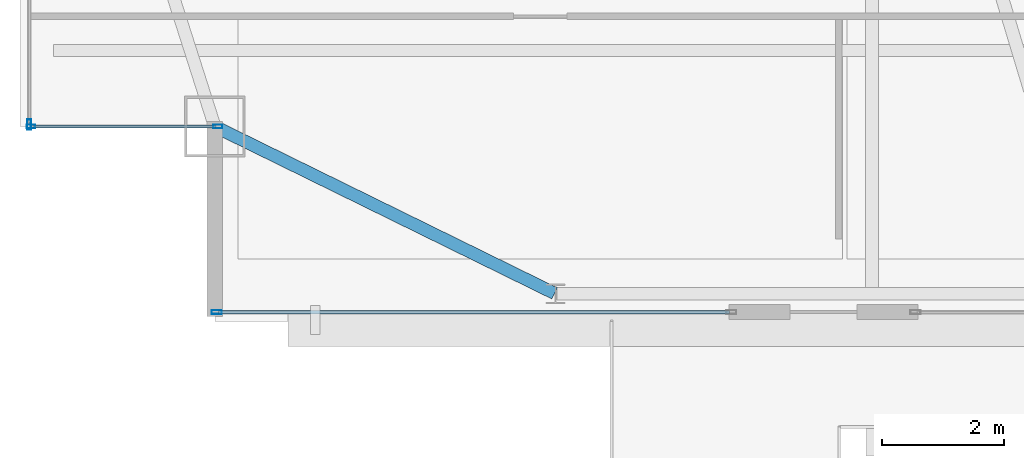
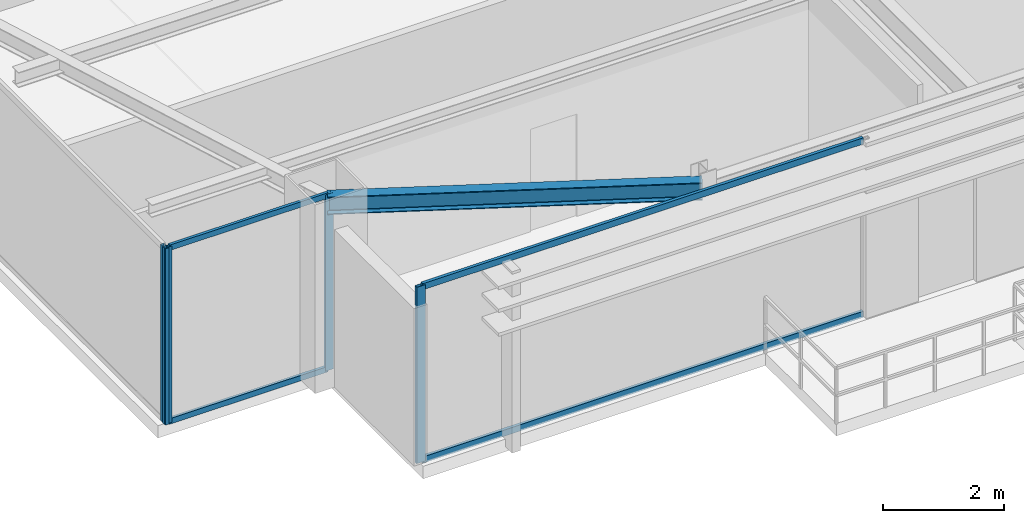
# One storey, part 3 of 25: 8 members, 1 beam, 3 elements without a shape of their own.
"""IFC4 building model written with IfcOpenShell, lengths in metres."""

from ifc_helpers import new_model, si_unit, direction, frame, origin, origin_2d, place, context, subcontext, project, spatial, hollow_rectangle, i_section, extrude, source, transform, mapped, material, layer, layer_set, material_profile, profile_set, type_object, type_shapes, element, aggregate, save


model = new_model("IFC4")

# Units and contexts
model_context = context("Model", 3, precision=1e-05, world=origin(), true_north=direction((0.0, 1.0)))
body_context = subcontext(model_context, "Body", "Model", "MODEL_VIEW")
ifc_project = project(units=[si_unit("LENGTHUNIT", "METRE"), si_unit("AREAUNIT", "SQUARE_METRE"), si_unit("VOLUMEUNIT", "CUBIC_METRE"), si_unit("PLANEANGLEUNIT", "RADIAN"), si_unit("MASSUNIT", "GRAM", prefix="KILO")], contexts=[model_context])

# Site, building, storey
site_placement = place(None, origin())
site = spatial("IfcSite", under=ifc_project, at=site_placement, CompositionType="ELEMENT")
building_placement = place(site_placement, origin())
building = spatial("IfcBuilding", under=site, at=building_placement, Name="Varnel Quay Broadcast Tower", CompositionType="ELEMENT")
storey_placement = place(building_placement, frame((0.0, 0.0, 288.800048828125)))
storey = spatial("IfcBuildingStorey", under=building, at=storey_placement, Name="L72", CompositionType="ELEMENT", Elevation=288.800048828125)

# Beam
ifc_material_1 = material(Name="Structural Steel CSA G40.21 350W", Category="steel")
ifc_material_profile_1 = material_profile(ifc_material_1, i_section(OverallWidth=0.205078125, OverallDepth=0.35400390625, WebThickness=0.009521484375, FlangeThickness=0.016845703125, FilletRadius=0.012939453125, at=origin_2d()), Name="W360X79")
ifc_profile_set_1 = profile_set([ifc_material_profile_1], Name="Structural Steel CSA G40.21 350W")
beam_type = type_object("IfcBeamType", Name="Beam_W360X79", PredefinedType="SPANDREL", material=ifc_profile_set_1)
shared_shape_1 = source(origin(), body_context, "Body", "SweptSolid", [
    extrude(i_section(OverallWidth=0.205078125, OverallDepth=0.35400390625, WebThickness=0.009521484375, FlangeThickness=0.016845703125, FilletRadius=0.012939453125, at=origin_2d()), origin(), (0.0, 0.0, 1.0), 6.19873046875),
])
type_shapes(beam_type, [shared_shape_1])
beam_placement = place(storey_placement, frame((15.218017578125, 16.39111328125, 3.373046875), z_axis=(0.897602447358, -0.440805905697, 0.0), x_axis=(0.440805905697, 0.897602447358, 0.0)))
element("IfcBeam", 1, at=beam_placement, inside=storey, type_object=beam_type, Name="L72 South Spandrel MC-SW-TC-S1", PredefinedType="SPANDREL", context=body_context, shape_type="MappedRepresentation", body=[
    mapped(shared_shape_1, transform((0.0, 0.0, 0.0), x_axis=(1.0, 0.0, 0.0), y_axis=(0.0, 1.0, 0.0), z_axis=(0.0, 0.0, 1.0), scale=1.0)),
])

# Curtain wall, members
ifc_material_2 = material(Name="Anodised Bronze Aluminium 6063-T6", Category="aluminium")
ifc_layer_1 = layer(ifc_material_2, 0.18994140625, Name="Anodised Bronze Aluminium 6063-T6")
ifc_layer_set_1 = layer_set([ifc_layer_1], Name="Anodised Bronze Aluminium 6063-T6")
curtain_wall_type_1 = type_object("IfcCurtainWallType", Name="CW_NotchCorner", PredefinedType="NOTDEFINED", material=ifc_layer_set_1)
curtain_wall_1_placement = place(storey_placement, origin())
curtain_wall_1 = element("IfcCurtainWall", 2, at=curtain_wall_1_placement, inside=storey, type_object=curtain_wall_type_1, Name="L72 SW Notch Curtain Wall", PredefinedType="NOTDEFINED")
ifc_material_profile_2 = material_profile(ifc_material_2, hollow_rectangle(XDim=0.06005859375, YDim=0.14501953125, WallThickness=0.00341796875, at=origin_2d()), Name="ALU60X145X3.5")
ifc_profile_set_2 = profile_set([ifc_material_profile_2], Name="Anodised Bronze Aluminium 6063-T6")
member_type_1 = type_object("IfcMemberType", Name="Mull_CWS-04", PredefinedType="MULLION", material=ifc_profile_set_2)
shared_shape_2 = source(origin(), body_context, "Body", "SweptSolid", [
    extrude(hollow_rectangle(XDim=0.06005859375, YDim=0.14501953125, WallThickness=0.00341796875, at=origin_2d()), origin(), (0.0, 0.0, 1.0), 3.550048828125),
])
type_shapes(member_type_1, [shared_shape_2])
member_1_placement = place(storey_placement, frame((12.179931640625, 16.39990234375, 0.0), z_axis=(0.0, 0.0, 1.0), x_axis=(0.0, 1.0, 0.0)))
member_1 = element("IfcMember", 3, at=member_1_placement, type_object=member_type_1, Name="CWS-04 mullion 1", PredefinedType="MULLION", context=body_context, shape_type="MappedRepresentation", body=[
    mapped(shared_shape_2, transform((0.0, 0.0, 0.0), x_axis=(1.0, 0.0, 0.0), y_axis=(0.0, 1.0, 0.0), z_axis=(0.0, 0.0, 1.0), scale=1.0)),
])
member_2_placement = place(storey_placement, frame((15.25, 16.39990234375, 0.0), z_axis=(0.0, 0.0, 1.0), x_axis=(0.0, 1.0, 0.0)))
member_2 = element("IfcMember", 4, at=member_2_placement, type_object=member_type_1, Name="CWS-04 mullion 2", PredefinedType="MULLION", context=body_context, shape_type="MappedRepresentation", body=[
    mapped(shared_shape_2, transform((0.0, 0.0, 0.0), x_axis=(1.0, 0.0, 0.0), y_axis=(0.0, 1.0, 0.0), z_axis=(0.0, 0.0, 1.0), scale=1.0)),
])

# Curtain wall, member
ifc_layer_2 = layer(ifc_material_2, 0.18994140625, Name="Anodised Bronze Aluminium 6063-T6")
ifc_layer_set_2 = layer_set([ifc_layer_2], Name="Anodised Bronze Aluminium 6063-T6")
curtain_wall_type_2 = type_object("IfcCurtainWallType", Name="CW_UpperTower", PredefinedType="NOTDEFINED", material=ifc_layer_set_2)
curtain_wall_2_placement = place(storey_placement, origin())
curtain_wall_2 = element("IfcCurtainWall", 5, at=curtain_wall_2_placement, inside=storey, type_object=curtain_wall_type_2, Name="L72 South Unitised Curtain Wall 1", PredefinedType="NOTDEFINED")
ifc_material_profile_3 = material_profile(ifc_material_2, hollow_rectangle(XDim=0.06494140625, YDim=0.1650390625, WallThickness=0.00341796875, at=origin_2d()), Name="ALU65X165X3.5")
ifc_profile_set_3 = profile_set([ifc_material_profile_3], Name="Anodised Bronze Aluminium 6063-T6")
member_type_2 = type_object("IfcMemberType", Name="Mull_CWS-03", PredefinedType="MULLION", material=ifc_profile_set_3)
shared_shape_3 = source(origin(), body_context, "Body", "SweptSolid", [
    extrude(hollow_rectangle(XDim=0.06494140625, YDim=0.1650390625, WallThickness=0.00341796875, at=origin_2d()), origin(), (0.0, 0.0, 1.0), 3.550048828125),
])
type_shapes(member_type_2, [shared_shape_3])
member_3_placement = place(storey_placement, frame((15.232421875, 13.35009765625, 0.0), z_axis=(0.0, 0.0, 1.0), x_axis=(0.0, 1.0, 0.0)))
member_3 = element("IfcMember", 6, at=member_3_placement, type_object=member_type_2, Name="CWS-03 mullion 1", PredefinedType="MULLION", context=body_context, shape_type="MappedRepresentation", body=[
    mapped(shared_shape_3, transform((0.0, 0.0, 0.0), x_axis=(1.0, 0.0, 0.0), y_axis=(0.0, 1.0, 0.0), z_axis=(0.0, 0.0, 1.0), scale=1.0)),
])

curtain_wall_3_placement = place(storey_placement, origin())
curtain_wall_3 = element("IfcCurtainWall", 7, at=curtain_wall_3_placement, inside=storey, type_object=curtain_wall_type_2, Name="L72 West Unitised Curtain Wall", PredefinedType="NOTDEFINED")
member_4_placement = place(storey_placement, frame((12.14990234375, 16.4326171875, 0.0), z_axis=(0.0, 0.0, 1.0), x_axis=(-1.0, 0.0, 0.0)))
member_4 = element("IfcMember", 8, at=member_4_placement, type_object=member_type_2, Name="CWS-03 mullion 1", PredefinedType="MULLION", context=body_context, shape_type="MappedRepresentation", body=[
    mapped(shared_shape_3, transform((0.0, 0.0, 0.0), x_axis=(1.0, 0.0, 0.0), y_axis=(0.0, 1.0, 0.0), z_axis=(0.0, 0.0, 1.0), scale=1.0)),
])
aggregate(curtain_wall_3, [member_4])

# Member
ifc_material_profile_4 = material_profile(ifc_material_2, hollow_rectangle(XDim=0.06005859375, YDim=0.125, WallThickness=0.0029296875, at=origin_2d()), Name="ALU60X125X3")
ifc_profile_set_4 = profile_set([ifc_material_profile_4], Name="Anodised Bronze Aluminium 6063-T6")
member_type_3 = type_object("IfcMemberType", Name="Tran_CWS-03", PredefinedType="USERDEFINED", material=ifc_profile_set_4)
shared_shape_4 = source(origin(), body_context, "Body", "SweptSolid", [
    extrude(hollow_rectangle(XDim=0.06005859375, YDim=0.125, WallThickness=0.0029296875, at=origin_2d()), origin(), (0.0, 0.0, 1.0), 8.39013671875),
])
type_shapes(member_type_3, [shared_shape_4])
member_5_placement = place(storey_placement, frame((15.264892578125, 13.35009765625, 0.030029296875), z_axis=(1.0, 0.0, 0.0), x_axis=(0.0, 1.0, 0.0)))
member_5 = element("IfcMember", 9, at=member_5_placement, type_object=member_type_3, Name="CWS-03 transom 1.1", ObjectType="TRANSOM", PredefinedType="USERDEFINED", context=body_context, shape_type="MappedRepresentation", body=[
    mapped(shared_shape_4, transform((0.0, 0.0, 0.0), x_axis=(1.0, 0.0, 0.0), y_axis=(0.0, 1.0, 0.0), z_axis=(0.0, 0.0, 1.0), scale=1.0)),
])

member_6_placement = place(storey_placement, frame((15.264892578125, 13.35009765625, 3.52001953125), z_axis=(1.0, 0.0, 0.0), x_axis=(0.0, 1.0, 0.0)))
member_6 = element("IfcMember", 10, at=member_6_placement, type_object=member_type_3, Name="CWS-03 transom 1.2", ObjectType="TRANSOM", PredefinedType="USERDEFINED", context=body_context, shape_type="MappedRepresentation", body=[
    mapped(shared_shape_4, transform((0.0, 0.0, 0.0), x_axis=(1.0, 0.0, 0.0), y_axis=(0.0, 1.0, 0.0), z_axis=(0.0, 0.0, 1.0), scale=1.0)),
])

aggregate(curtain_wall_2, [member_3, member_5, member_6])

ifc_material_profile_5 = material_profile(ifc_material_2, hollow_rectangle(XDim=0.054931640625, YDim=0.110107421875, WallThickness=0.0029296875, at=origin_2d()), Name="ALU55X110X3")
ifc_profile_set_5 = profile_set([ifc_material_profile_5], Name="Anodised Bronze Aluminium 6063-T6")
member_type_4 = type_object("IfcMemberType", Name="Tran_CWS-04", PredefinedType="USERDEFINED", material=ifc_profile_set_5)
shared_shape_5 = source(origin(), body_context, "Body", "SweptSolid", [
    extrude(hollow_rectangle(XDim=0.054931640625, YDim=0.110107421875, WallThickness=0.0029296875, at=origin_2d()), origin(), (0.0, 0.0, 1.0), 3.010009765625),
])
type_shapes(member_type_4, [shared_shape_5])
member_7_placement = place(storey_placement, frame((12.2099609375, 16.39990234375, 0.02734375), z_axis=(1.0, 0.0, 0.0), x_axis=(0.0, 1.0, 0.0)))
member_7 = element("IfcMember", 11, at=member_7_placement, type_object=member_type_4, Name="CWS-04 transom 1.1", ObjectType="TRANSOM", PredefinedType="USERDEFINED", context=body_context, shape_type="MappedRepresentation", body=[
    mapped(shared_shape_5, transform((0.0, 0.0, 0.0), x_axis=(1.0, 0.0, 0.0), y_axis=(0.0, 1.0, 0.0), z_axis=(0.0, 0.0, 1.0), scale=1.0)),
])

member_8_placement = place(storey_placement, frame((12.2099609375, 16.39990234375, 3.5224609375), z_axis=(1.0, 0.0, 0.0), x_axis=(0.0, 1.0, 0.0)))
member_8 = element("IfcMember", 12, at=member_8_placement, type_object=member_type_4, Name="CWS-04 transom 1.2", ObjectType="TRANSOM", PredefinedType="USERDEFINED", context=body_context, shape_type="MappedRepresentation", body=[
    mapped(shared_shape_5, transform((0.0, 0.0, 0.0), x_axis=(1.0, 0.0, 0.0), y_axis=(0.0, 1.0, 0.0), z_axis=(0.0, 0.0, 1.0), scale=1.0)),
])

aggregate(curtain_wall_1, [member_1, member_2, member_7, member_8])

save(model, "model.ifc")
